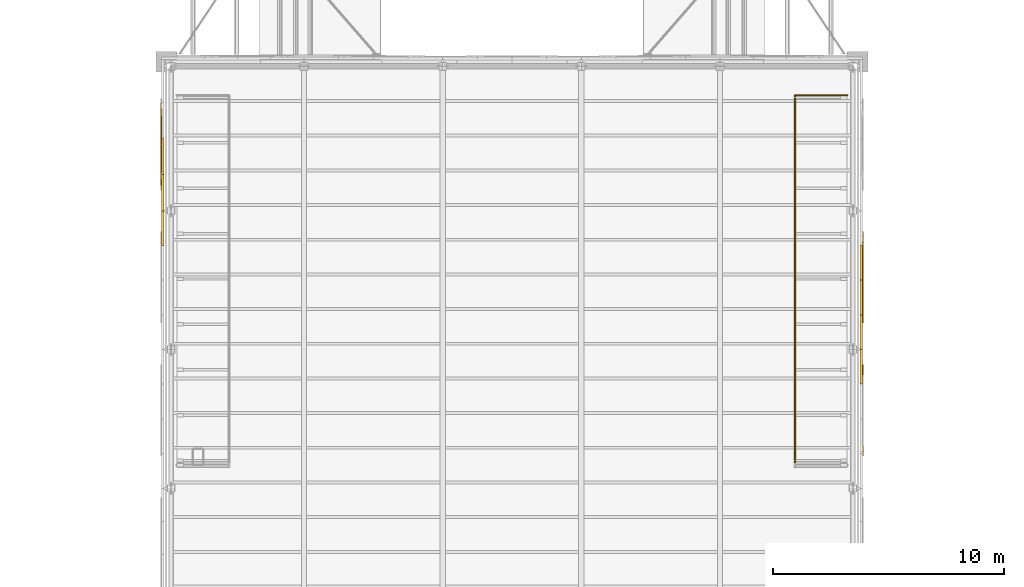
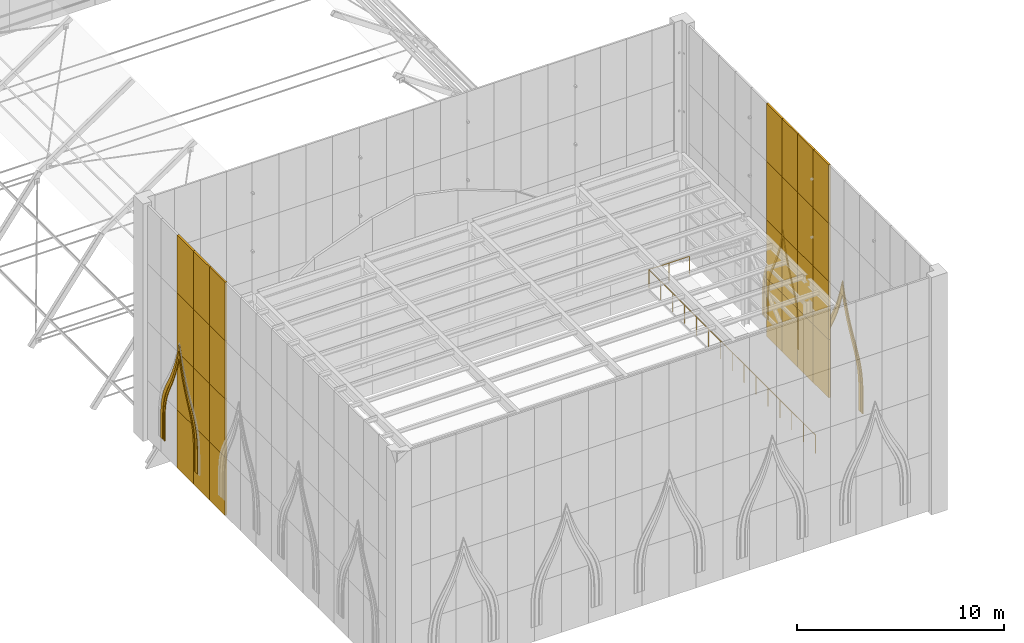
# One storey, part 40 of 43: 35 coverings, 1 railing.
"""IFC4 building model written with IfcOpenShell, lengths in metres."""

from ifc_helpers import new_model, si_unit, direction, frame, origin, origin_2d, place, context, subcontext, project, spatial, polyline, rectangle, circle, outline, extrude, material, layer, layer_set, type_object, element, save


model = new_model("IFC4")

# Units and contexts
model_context = context("Model", 3, precision=1e-05, world=origin(), true_north=direction((0.0, 1.0)))
body_context = subcontext(model_context, "Body", "Model", "MODEL_VIEW")
ifc_project = project(units=[si_unit("LENGTHUNIT", "METRE"), si_unit("AREAUNIT", "SQUARE_METRE"), si_unit("VOLUMEUNIT", "CUBIC_METRE"), si_unit("PLANEANGLEUNIT", "RADIAN"), si_unit("MASSUNIT", "GRAM", prefix="KILO")], contexts=[model_context])

# Site, building, storey
site_placement = place(None, origin())
site = spatial("IfcSite", under=ifc_project, at=site_placement, CompositionType="ELEMENT")
building_placement = place(site_placement, origin())
building = spatial("IfcBuilding", under=site, at=building_placement, Name="Saffron Lane Theatres", CompositionType="ELEMENT")
storey_placement = place(building_placement, frame((0.0, 0.0, 23.0)))
storey = spatial("IfcBuildingStorey", under=building, at=storey_placement, Name="Roof", CompositionType="ELEMENT", Elevation=23.0)

# Coverings
ifc_material_1 = material(Name="Masonry sandstone", Category="masonry")
ifc_layer_1 = layer(ifc_material_1, 0.050048828125)
ifc_layer_set_1 = layer_set([ifc_layer_1], Name="Masonry sandstone")
covering_type_1 = type_object("IfcCoveringType", Name="EX-ARCH FRAME RING SANDSTONE 50", PredefinedType="CLADDING", material=ifc_layer_set_1)
covering_1_placement = place(storey_placement, frame((48.14990234375, 37.60009765625, 2.200927734375), z_axis=(-1.0, 0.0, 0.0), x_axis=(0.0, 0.027312211802, 0.999626951961)))
element("IfcCovering", 1, at=covering_1_placement, inside=storey, type_object=covering_type_1, Name="Tower arch recess ring", PredefinedType="CLADDING", context=body_context, shape_type="SweptSolid", body=[
    extrude(outline(polyline([(0.0, 0.0), (0.40224966782484456, 0.0), (0.7569683522101139, 0.021325663033647923), (1.0741287445550716, 0.06248335251801053), (1.35881587726215, 0.12186874273052645), (1.6190700494014425, 0.1987736898983943), (1.8625941582077907, 0.2890800245858124), (2.095442766258442, 0.39091269943956275), (2.326605698736925, 0.5025607004097316), (2.5641165866928755, 0.6230718341746991), (2.816654525556407, 0.7483012592168254), (3.0903407581093636, 0.8788144236710781), (3.396084165823525, 1.0116267215797745), (3.739728601829618, 1.1460900213542489), (4.131457466973427, 1.2794837706470155), (4.5793177283455035, 1.4113438752340919), (5.367965845758813, 1.6088719789106471), (5.369059401114175, 1.6488961049168909), (4.592373712405251, 1.8891928918208298), (4.152381715175411, 2.0453112548396524), (3.7685211141738404, 2.1998959731527847), (3.432731606269066, 2.352923041886572), (3.1346964302061133, 2.5022320224121297), (2.8685450607724188, 2.6474948481228484), (2.6232219200460913, 2.7863270349024023), (2.3926457733680455, 2.919627431908736), (2.1679241486534617, 3.043731295097295), (1.9409834067299485, 3.1581265204967868), (1.702753706168462, 3.2615955275713047), (1.4470871321053216, 3.352596669990605), (1.166067410650981, 3.4274385316282965), (0.851627570653509, 3.4858530580619056), (0.4986025634649585, 3.5265159804281714), (0.09695301748147107, 3.5484804398218417), (-1.1035267131570188, 3.5812804324622376), (-1.1089878219133684, 3.3814038519798384), (0.0895395123345729, 3.3486572035031186), (0.48120969889833753, 3.327942331143563), (0.8223029502766167, 3.2885823399750875), (1.1216650624110143, 3.2325336272005174), (1.3878844456533965, 3.1612711589454983), (1.6297735558430695, 3.075531084668762), (1.8552019907263628, 2.9772964736549703), (2.0742024538866755, 2.867270135260558), (2.2948285804350204, 2.745232024810359), (2.5244552009996295, 2.612934498081138), (2.770727867839393, 2.473099441024472), (3.0417068840857833, 2.3257508585140143), (3.3457366105418473, 2.172370384695872), (3.6895197413734984, 2.0169268253475527), (4.08132728915873, 1.8582172695781594), (4.529048855705248, 1.6989569353188092), (4.696888265087821, 1.6472344342183776), (4.526474999807872, 1.6047538094748455), (4.070725136628087, 1.4701784869566512), (3.670862620127752, 1.3340761877532261), (3.3190778647446724, 1.1966602885192745), (3.0071265299826946, 1.0601098983409696), (2.7285326343715286, 0.9287538961006331), (2.4749651531490464, 0.8015987467497964), (2.2384571354702087, 0.6820371390982651), (2.011523061567155, 0.573204376366107), (1.7868147728934902, 0.47432430097183365), (1.5563586505837161, 0.38854555217643194), (1.310148663136272, 0.3161415188187424), (1.0404352371730994, 0.2595220234928368), (0.7384592610185687, 0.21990331313053224), (0.3957256766072468, 0.1992271152896419), (0.0035087123658012432, 0.19992992464607567), (-1.1950186218821401, 0.23267657312279538), (-1.2004797306384898, 0.03279999264039589), (0.0, 0.0)])), origin(), (0.0, 0.0, -1.0), 0.050048828125),
])
covering_2_placement = place(storey_placement, frame((48.14990234375, 37.39990234375, 2.200927734375), z_axis=(-1.0, 0.0, 0.0), x_axis=(0.0, 0.029193159722, 0.999573788885)))
element("IfcCovering", 2, at=covering_2_placement, inside=storey, type_object=covering_type_1, Name="Tower arch recess ring", PredefinedType="CLADDING", context=body_context, shape_type="SweptSolid", body=[
    extrude(outline(polyline([(0.0, 0.0), (0.41814696888594205, 1.734723475976807e-18), (0.789125603111909, 0.02409233927534542), (1.117551215790607, 0.07140949062843514), (1.4138389798139064, 0.13896058063500577), (1.684291082572596, 0.22509608173497841), (1.9373917861109122, 0.3276142481028278), (2.179867205832405, 0.44265496857998693), (2.421715713852443, 0.5696819899102323), (2.6709334990761593, 0.7065078207405595), (2.935237077657832, 0.849731914106464), (3.2226582746838943, 0.9983869615027009), (3.5441217178941016, 1.1501999447411422), (3.9056855581096905, 1.3035284634979691), (4.3175565678342815, 1.4566089544329384), (4.787967845306298, 1.607002762387233), (5.517225804189668, 1.8057688377505887), (5.517753219672928, 1.8238275438974325), (4.8013385405305815, 2.0648153668666795), (4.340506268592379, 2.242406708390198), (3.938271282291685, 2.4192636594894568), (3.58627219313739, 2.5934322170713386), (3.274245210735792, 2.7647236519196716), (2.995961130595407, 2.9289234866890266), (2.740466816031439, 3.087328593289325), (2.499659169594852, 3.238465914530292), (2.2656363669885993, 3.379391046568081), (2.0303166924724265, 3.5093630419210733), (1.7836019926233202, 3.625501641871766), (1.518637861785045, 3.72727429932679), (1.2267974931881596, 3.8120020287206327), (0.9016931726067514, 3.878405918778749), (0.5327529279512241, 3.9241080383952593), (0.11531868269130997, 3.9485116953504535), (-1.0850972029347026, 3.9835705705147646), (-1.0891882365481025, 3.8434935795919487), (0.10927535652149442, 3.80849172231772), (0.5208598513484222, 3.7845031556023243), (0.8786029227496011, 3.7401050351319944), (1.1939956712027533, 3.6756944905111526), (1.4737268653934252, 3.5944955983344995), (1.7278305136182879, 3.4971922881935713), (1.9656013872290956, 3.3842458348191324), (2.1961258571893527, 3.2573448230259685), (2.426057056003304, 3.1184931465610197), (2.665924192342985, 2.968604517112854), (2.923363672227109, 2.8098983560529214), (3.2054668106452016, 2.6426560466687783), (3.5215853968391, 2.4692911562476056), (3.8796212551058513, 2.292748088633249), (4.28765610118571, 2.113767791307328), (4.753527614249379, 1.9330983389877205), (5.066509931399305, 1.8279693234330057), (4.7479256065488, 1.7412855953198925), (4.272332543226111, 1.5890891667706482), (3.8545191289971497, 1.4332512906713022), (3.4867902294164193, 1.277904623695015), (3.161092637688706, 1.123284364638375), (2.8697098376597303, 0.9727910604658873), (2.603446839285382, 0.8293799484205129), (2.3552408365211748, 0.6937457914929044), (2.1175979680736017, 0.5685498997026498), (1.8800602976332301, 0.4553189270567006), (1.6361029829485005, 0.356441638060052), (1.3767536888360727, 0.2741340330107499), (1.092760407361754, 0.20939905659534055), (0.774146148118956, 0.1635050717787033), (0.41442170503741954, 0.14006102591359282), (0.0021387410569844428, 0.14013400881289806), (-1.1963248520126126, 0.17513586608712695), (-1.2004158856260125, 0.03505887516431111), (0.0, 0.0)])), origin(), (0.0, 0.0, -1.0), 0.050048828125),
])
covering_3_placement = place(storey_placement, frame((48.14990234375, 43.610107421875, 2.200927734375), z_axis=(-1.0, 0.0, 0.0), x_axis=(0.0, 0.022997111267, 0.999735531465)))
element("IfcCovering", 3, at=covering_3_placement, inside=storey, type_object=covering_type_1, Name="Tower arch recess ring", PredefinedType="CLADDING", context=body_context, shape_type="SweptSolid", body=[
    extrude(outline(polyline([(0.0, 0.0), (0.38218115301468625, -1.734723475976807e-18), (0.7186530208482582, 0.019366850314774177), (1.0186343483940257, 0.05544643826297682), (1.2869898132143656, 0.1073942450897903), (1.5324780807332044, 0.17378776745953742), (1.7623540583257231, 0.2515296568088426), (1.9834518756015451, 0.3404627063224047), (2.202776749349248, 0.4372511059084794), (2.429104188580111, 0.5412045804038491), (2.6697452459604945, 0.6516665418200038), (2.9314442186341365, 0.7645745664218575), (3.2242587557200446, 0.8818951430329552), (3.5539512356028933, 0.9993442299771961), (3.92979654846717, 1.1167084751480998), (4.357635676105198, 1.233120901674377), (5.015327699382706, 1.3838072212008825), (5.016068817226268, 1.4160252607891064), (4.366001324490871, 1.5967942273293279), (3.9439676199607527, 1.7327564442441374), (3.5739165011461504, 1.8672786903993477), (3.2499732990800325, 1.999763486321328), (2.9628350509323225, 2.1292038038291268), (2.7066327022651064, 2.2552462395065995), (2.4713254475467292, 2.376656532702662), (2.25001739734727, 2.490907053600263), (2.035375040883897, 2.5976780859579662), (1.8186004110288587, 2.696683600709043), (1.5925423132365129, 2.784913430450588), (1.350366617897236, 2.862524781997902), (1.084683668937017, 2.9267571785346833), (0.7866786556407508, 2.9765923628217448), (0.45145321327135296, 3.0114103972689836), (0.06967630635315561, 3.0289838734080146), (-1.1309338204231558, 3.0566017421389713), (-1.1336905542200453, 2.936760397913078), (0.0649669640963737, 2.9091874454150646), (0.44161265927823573, 2.8914877983300227), (0.771008348913546, 2.8580248928690466), (1.0600050061992816, 2.8093737503892937), (1.3186322076088624, 2.7462804794268774), (1.5528207674004981, 2.671783320030293), (1.7720952663452818, 2.5859073816214284), (1.9838116733425173, 2.4899486846716656), (2.1955419607034057, 2.383977254835837), (2.4158793212020364, 2.269993268112194), (2.6521628801503603, 2.14856051679966), (2.9122479876208893, 2.0214519444263543), (3.202264617696377, 1.8897475680517621), (3.5303121965068223, 1.7552147166748848), (3.9042236160082666, 1.618650029593896), (4.332336763859077, 1.4815711452211926), (4.59173814645036, 1.4096686780727894), (4.32930491813541, 1.3497700741784586), (3.8953414309437466, 1.232521706650183), (3.515545984926742, 1.1132946854852734), (3.181659295833679, 0.9939884370761447), (2.88589338794146, 0.8757589305845156), (2.6202386675859732, 0.7607440539311694), (2.3786213059756434, 0.6503045506314862), (2.1532757855038445, 0.5465726940771315), (1.9368966680333337, 0.45044914831410154), (1.7209693641976722, 0.363350802148956), (1.4980005050933094, 0.28862469473167457), (1.26061166370447, 0.2239985013609291), (0.999379320784183, 0.17384048164958885), (0.7084512654818893, 0.13852946035397), (0.37786529567358396, 0.12024824162779892), (0.0008041253369972031, 0.11988626045883645), (-1.197853392979422, 0.1474592129568499), (-1.2006101267763114, 0.027617868730956684), (0.0, 0.0)])), origin(), (0.0, 0.0, -1.0), 0.050048828125),
])
covering_4_placement = place(storey_placement, frame((48.14990234375, 43.35009765625, 2.200927734375), z_axis=(-1.0, 0.0, 0.0), x_axis=(0.0, 0.027312211802, 0.999626951961)))
element("IfcCovering", 4, at=covering_4_placement, inside=storey, type_object=covering_type_1, Name="Tower arch recess ring", PredefinedType="CLADDING", context=body_context, shape_type="SweptSolid", body=[
    extrude(outline(polyline([(0.0, 0.0), (0.40224966782484456, 0.0), (0.7569683522101139, 0.021325663033647923), (1.0741287445550716, 0.06248335251801053), (1.35881587726215, 0.12186874273052645), (1.6190700494014425, 0.1987736898983943), (1.8625674861259525, 0.28810382639053816), (2.095442766258442, 0.39091269943956275), (2.326605698736925, 0.5025607004097316), (2.5641165866928755, 0.6230718341746991), (2.816654525556407, 0.7483012592168254), (3.0903407581093636, 0.8788144236710781), (3.396084165823525, 1.0116267215797745), (3.73970192974778, 1.1451138231589746), (4.131457466973427, 1.2794837706470155), (4.5793177283455035, 1.4113438752340919), (5.367965845758813, 1.6088719789106471), (5.369059401114175, 1.6488961049168909), (4.592373712405251, 1.8891928918208298), (4.152381715175411, 2.0453112548396524), (3.7685211141738404, 2.1998959731527847), (3.432731606269066, 2.352923041886572), (3.1346964302061133, 2.5022320224121297), (2.8685450607724188, 2.6474948481228484), (2.6232219200460913, 2.7863270349024023), (2.3926191012862073, 2.9186512337134616), (2.1679241486534617, 3.043731295097295), (1.9409834067299485, 3.1581265204967868), (1.702753706168462, 3.2615955275713047), (1.4470871321053216, 3.352596669990605), (1.166067410650981, 3.4274385316282965), (0.851627570653509, 3.4858530580619056), (0.4986025634649585, 3.5265159804281714), (0.09695301748147107, 3.5484804398218417), (-1.1035267131570188, 3.5812804324622376), (-1.1089878219133684, 3.3814038519798384), (0.0895395123345729, 3.3486572035031186), (0.4811830268164994, 3.326966132948289), (0.8223029502766167, 3.2885823399750875), (1.1216650624110143, 3.2325336272005174), (1.3878844456533965, 3.1612711589454983), (1.6297735558430695, 3.075531084668762), (1.8552019907263628, 2.9772964736549703), (2.0741757818048376, 2.866293937065284), (2.2948285804350204, 2.745232024810359), (2.5244552009996295, 2.612934498081138), (2.770701195757555, 2.4721232428291975), (3.0417068840857833, 2.3257508585140143), (3.3457366105418473, 2.172370384695872), (3.68949306929166, 2.0159506271522787), (4.08132728915873, 1.8582172695781594), (4.529048855705248, 1.6989569353188092), (4.696888265087821, 1.6472344342183776), (4.526474999807872, 1.6047538094748455), (4.070725136628087, 1.4701784869566512), (3.6708359480459136, 1.3330999895579518), (3.3190778647446724, 1.1966602885192745), (3.0071265299826946, 1.0601098983409696), (2.7285059622896903, 0.9277776979053588), (2.4749651531490464, 0.8015987467497964), (2.2384571354702087, 0.6820371390982651), (2.011496389485317, 0.5722281781708328), (1.7868147728934902, 0.47432430097183365), (1.5563586505837161, 0.38854555217643194), (1.310148663136272, 0.3161415188187424), (1.0404352371730994, 0.2595220234928368), (0.7384592610185687, 0.21990331313053224), (0.3957256766072468, 0.1992271152896419), (0.0035087123658012432, 0.19992992464607567), (-1.1950186218821401, 0.23267657312279538), (-1.2004797306384898, 0.03279999264039589), (0.0, 0.0)])), origin(), (0.0, 0.0, -1.0), 0.050048828125),
])
covering_5_placement = place(storey_placement, frame((48.14990234375, 43.14990234375, 2.200927734375), z_axis=(-1.0, 0.0, 0.0), x_axis=(0.0, 0.029193159722, 0.999573788885)))
element("IfcCovering", 5, at=covering_5_placement, inside=storey, type_object=covering_type_1, Name="Tower arch recess ring", PredefinedType="CLADDING", context=body_context, shape_type="SweptSolid", body=[
    extrude(outline(polyline([(0.0, 0.0), (0.41814696888594205, 1.734723475976807e-18), (0.789125603111909, 0.02409233927534542), (1.117551215790607, 0.07140949062843514), (1.4138389798139064, 0.13896058063500577), (1.684291082572596, 0.22509608173497841), (1.937363277165871, 0.32663810182462005), (2.179867205832405, 0.44265496857998693), (2.421715713852443, 0.5696819899102323), (2.6709334990761593, 0.7065078207405595), (2.935237077657832, 0.849731914106464), (3.222629765738853, 0.9974108152244933), (3.5441217178941016, 1.1501999447411422), (3.9056855581096905, 1.3035284634979691), (4.31752805888924, 1.4556328081547305), (4.787967845306298, 1.607002762387233), (5.517225804189668, 1.8057688377505887), (5.517753219672928, 1.8238275438974325), (4.8013385405305815, 2.0648153668666795), (4.340506268592379, 2.242406708390198), (3.938271282291685, 2.4192636594894568), (3.58627219313739, 2.5934322170713386), (3.274216701790751, 2.7637475056414638), (2.995961130595407, 2.9289234866890266), (2.740466816031439, 3.087328593289325), (2.499659169594852, 3.238465914530292), (2.2656363669885993, 3.379391046568081), (2.0302881835273854, 3.5083868956428654), (1.7836019926233202, 3.625501641871766), (1.518637861785045, 3.72727429932679), (1.2267974931881596, 3.8120020287206327), (0.9016931726067514, 3.878405918778749), (0.5327529279512241, 3.9241080383952593), (0.11531868269130997, 3.9485116953504535), (-1.0850972029347026, 3.9835705705147646), (-1.0891882365481025, 3.8434935795919487), (0.10927535652149442, 3.80849172231772), (0.5208598513484222, 3.7845031556023243), (0.8786029227496011, 3.7401050351319944), (1.1939956712027533, 3.6756944905111526), (1.4737268653934252, 3.5944955983344995), (1.7278305136182879, 3.4971922881935713), (1.9656013872290956, 3.3842458348191324), (2.1961258571893527, 3.2573448230259685), (2.426057056003304, 3.1184931465610197), (2.665924192342985, 2.968604517112854), (2.9233351632820677, 2.8089222097747135), (3.2054668106452016, 2.6426560466687783), (3.5215853968391, 2.4692911562476056), (3.8796212551058513, 2.292748088633249), (4.287627592240669, 2.11279164502912), (4.753527614249379, 1.9330983389877205), (5.066509931399305, 1.8279693234330057), (4.7479256065488, 1.7412855953198925), (4.27230403428107, 1.5881130204924403), (3.8545191289971497, 1.4332512906713022), (3.4867902294164193, 1.277904623695015), (3.161092637688706, 1.123284364638375), (2.8697098376597303, 0.9727910604658873), (2.603446839285382, 0.8293799484205129), (2.3552408365211748, 0.6937457914929044), (2.1175979680736017, 0.5685498997026498), (1.8800602976332301, 0.4553189270567006), (1.6361029829485005, 0.356441638060052), (1.3767536888360727, 0.2741340330107499), (1.092760407361754, 0.20939905659534055), (0.774146148118956, 0.1635050717787033), (0.41442170503741954, 0.14006102591359282), (0.0021387410569844428, 0.14013400881289806), (-1.1963248520126126, 0.17513586608712695), (-1.2004158856260125, 0.03505887516431111), (0.0, 0.0)])), origin(), (0.0, 0.0, -1.0), 0.050048828125),
])
covering_6_placement = place(storey_placement, frame((17.85009765625, 52.389892578125, 2.200927734375), z_axis=(1.0, 0.0, 0.0), x_axis=(0.0, -0.022997111267, 0.999735531465)))
element("IfcCovering", 6, at=covering_6_placement, inside=storey, type_object=covering_type_1, Name="Tower arch recess ring", PredefinedType="CLADDING", context=body_context, shape_type="SweptSolid", body=[
    extrude(outline(polyline([(0.0, 0.0), (0.38218115301468625, -1.734723475976807e-18), (0.7186530208482582, 0.019366850314774177), (1.0186343483940257, 0.05544643826297682), (1.2869898132143656, 0.1073942450897903), (1.5324780807332044, 0.17378776745953742), (1.7623540583257231, 0.2515296568088426), (1.9834518756015451, 0.3404627063224047), (2.202776749349248, 0.4372511059084794), (2.429104188580111, 0.5412045804038491), (2.6697452459604945, 0.6516665418200038), (2.931472291279726, 0.7657949467092903), (3.2242587557200446, 0.8818951430329552), (3.5539512356028933, 0.9993442299771961), (3.92979654846717, 1.1167084751480998), (4.357635676105198, 1.233120901674377), (5.015327699382706, 1.3838072212008825), (5.016068817226268, 1.4160252607891064), (4.366001324490871, 1.5967942273293279), (3.9439676199607527, 1.7327564442441374), (3.5739165011461504, 1.8672786903993477), (3.2499732990800325, 1.999763486321328), (2.9628350509323225, 2.1292038038291268), (2.7066327022651064, 2.2552462395065995), (2.4713254475467292, 2.376656532702662), (2.25001739734727, 2.490907053600263), (2.035375040883897, 2.5976780859579662), (1.8186004110288587, 2.696683600709043), (1.5925423132365129, 2.784913430450588), (1.350366617897236, 2.862524781997902), (1.084683668937017, 2.9267571785346833), (0.7866786556407508, 2.9765923628217448), (0.45145321327135296, 3.0114103972689836), (0.06967630635315561, 3.0289838734080146), (-1.1309338204231558, 3.0566017421389713), (-1.1336905542200453, 2.936760397913078), (0.0649669640963737, 2.9091874454150646), (0.44161265927823573, 2.8914877983300227), (0.771008348913546, 2.8580248928690466), (1.0600050061992816, 2.8093737503892937), (1.318654665725334, 2.7472567836568236), (1.5528207674004981, 2.671783320030293), (1.7720952663452818, 2.5859073816214284), (1.9838116733425173, 2.4899486846716656), (2.1955419607034057, 2.383977254835837), (2.4158793212020364, 2.269993268112194), (2.6521628801503603, 2.14856051679966), (2.9122479876208893, 2.0214519444263543), (3.202264617696377, 1.8897475680517621), (3.5303121965068223, 1.7552147166748848), (3.9042236160082666, 1.618650029593896), (4.332336763859077, 1.4815711452211926), (4.59173814645036, 1.4096686780727894), (4.32930491813541, 1.3497700741784586), (3.8953414309437466, 1.232521706650183), (3.515545984926742, 1.1132946854852734), (3.181659295833679, 0.9939884370761447), (2.88589338794146, 0.8757589305845156), (2.6202386675859732, 0.7607440539311694), (2.3786213059756434, 0.6503045506314862), (2.1532757855038445, 0.5465726940771315), (1.9368966680333337, 0.45044914831410154), (1.7209918223141438, 0.36432710637890214), (1.4980005050933094, 0.28862469473167457), (1.2606341218209416, 0.22497480559087527), (0.999379320784183, 0.17384048164958885), (0.7084512654818893, 0.13852946035397), (0.37786529567358396, 0.12024824162779892), (0.0008041253369972031, 0.11988626045883645), (-1.197853392979422, 0.1474592129568499), (-1.2006101267763114, 0.027617868730956684), (0.0, 0.0)])), origin(), (0.0, 0.0, -1.0), 0.050048828125),
])
covering_7_placement = place(storey_placement, frame((17.85009765625, 52.64990234375, 2.200927734375), z_axis=(1.0, 0.0, 0.0), x_axis=(0.0, -0.027312211802, 0.999626951961)))
element("IfcCovering", 7, at=covering_7_placement, inside=storey, type_object=covering_type_1, Name="Tower arch recess ring", PredefinedType="CLADDING", context=body_context, shape_type="SweptSolid", body=[
    extrude(outline(polyline([(0.0, 0.0), (0.40224966782484456, 0.0), (0.7569683522101139, 0.021325663033647923), (1.0741287445550716, 0.06248335251801053), (1.35881587726215, 0.12186874273052645), (1.6190700494014425, 0.1987736898983943), (1.8625941582077907, 0.2890800245858124), (2.095442766258442, 0.39091269943956275), (2.326605698736925, 0.5025607004097316), (2.5641165866928755, 0.6230718341746991), (2.816654525556407, 0.7483012592168254), (3.0903407581093636, 0.8788144236710781), (3.396084165823525, 1.0116267215797745), (3.739728601829618, 1.1460900213542489), (4.131457466973427, 1.2794837706470155), (4.5793177283455035, 1.4113438752340919), (5.367965845758813, 1.6088719789106471), (5.369059401114175, 1.6488961049168909), (4.592373712405251, 1.8891928918208298), (4.152381715175411, 2.0453112548396524), (3.7685211141738404, 2.1998959731527847), (3.432731606269066, 2.352923041886572), (3.1346964302061133, 2.5022320224121297), (2.8685450607724188, 2.6474948481228484), (2.6232219200460913, 2.7863270349024023), (2.3926457733680455, 2.919627431908736), (2.1679241486534617, 3.043731295097295), (1.9409834067299485, 3.1581265204967868), (1.702753706168462, 3.2615955275713047), (1.4470871321053216, 3.352596669990605), (1.166067410650981, 3.4274385316282965), (0.851627570653509, 3.4858530580619056), (0.4986025634649585, 3.5265159804281714), (0.09695301748147107, 3.5484804398218417), (-1.1035267131570188, 3.5812804324622376), (-1.1089878219133684, 3.3814038519798384), (0.0895395123345729, 3.3486572035031186), (0.48120969889833753, 3.327942331143563), (0.8223029502766167, 3.2885823399750875), (1.1216650624110143, 3.2325336272005174), (1.3878844456533965, 3.1612711589454983), (1.6297735558430695, 3.075531084668762), (1.8552019907263628, 2.9772964736549703), (2.0742024538866755, 2.867270135260558), (2.2948285804350204, 2.745232024810359), (2.5244552009996295, 2.612934498081138), (2.770727867839393, 2.473099441024472), (3.0417068840857833, 2.3257508585140143), (3.3457366105418473, 2.172370384695872), (3.6895197413734984, 2.0169268253475527), (4.08132728915873, 1.8582172695781594), (4.529048855705248, 1.6989569353188092), (4.696888265087821, 1.6472344342183776), (4.526474999807872, 1.6047538094748455), (4.070725136628087, 1.4701784869566512), (3.670862620127752, 1.3340761877532261), (3.3190778647446724, 1.1966602885192745), (3.0071265299826946, 1.0601098983409696), (2.7285326343715286, 0.9287538961006331), (2.4749651531490464, 0.8015987467497964), (2.2384571354702087, 0.6820371390982651), (2.011523061567155, 0.573204376366107), (1.7868147728934902, 0.47432430097183365), (1.5563586505837161, 0.38854555217643194), (1.310148663136272, 0.3161415188187424), (1.0404352371730994, 0.2595220234928368), (0.7384592610185687, 0.21990331313053224), (0.3957256766072468, 0.1992271152896419), (0.0035087123658012432, 0.19992992464607567), (-1.1950186218821401, 0.23267657312279538), (-1.2004797306384898, 0.03279999264039589), (0.0, 0.0)])), origin(), (0.0, 0.0, -1.0), 0.050048828125),
])
ifc_material_2 = material(Name="Masonry perforated pale clay brick", Category="masonry")
ifc_layer_2 = layer(ifc_material_2, 0.10009765625)
ifc_layer_set_2 = layer_set([ifc_layer_2], Name="Masonry perforated pale clay brick")
covering_type_2 = type_object("IfcCoveringType", Name="EX-CLADDING PANEL PERFORATED BRICK 100", PredefinedType="CLADDING", material=ifc_layer_set_2)
for number, where, z_axis, x_axis, name in (
    (8, (17.89990234375, 47.25, 0.10009765625), (0.0, 0.0, 1.0), (0.0, 1.0, 0.0), "Tower panel W205"),
    (9, (17.89990234375, 47.25, 3.53759765625), (0.0, 0.0, 1.0), (0.0, 1.0, 0.0), "Tower panel W206"),
    (10, (17.89990234375, 47.25, 6.97509765625), (0.0, 0.0, 1.0), (0.0, 1.0, 0.0), "Tower panel W207"),
    (11, (17.89990234375, 47.25, 10.41259765625), (0.0, 0.0, 1.0), (0.0, 1.0, 0.0), "Tower panel W208"),
):
    element("IfcCovering", number, at=place(storey_placement, frame(where, z_axis=z_axis, x_axis=x_axis)), inside=storey, type_object=covering_type_2, Name=name, PredefinedType="CLADDING", context=body_context, shape_type="SweptSolid", body=[
        extrude(rectangle(XDim=1.5, YDim=0.10009765625, at=origin_2d()), origin(), (0.0, 0.0, 1.0), 3.4375),
    ])
for number, where, z_axis, x_axis, name in (
    (12, (17.89990234375, 48.78125, 0.10009765625), (0.0, 0.0, 1.0), (0.0, 1.0, 0.0), "Tower panel W209"),
    (13, (17.89990234375, 48.78125, 3.53759765625), (0.0, 0.0, 1.0), (0.0, 1.0, 0.0), "Tower panel W210"),
    (14, (17.89990234375, 48.78125, 6.97509765625), (0.0, 0.0, 1.0), (0.0, 1.0, 0.0), "Tower panel W211"),
    (15, (17.89990234375, 48.78125, 10.41259765625), (0.0, 0.0, 1.0), (0.0, 1.0, 0.0), "Tower panel W212"),
    (16, (17.89990234375, 50.34375, 0.10009765625), (0.0, 0.0, 1.0), (0.0, 1.0, 0.0), "Tower panel W213"),
    (17, (17.89990234375, 50.34375, 3.53759765625), (0.0, 0.0, 1.0), (0.0, 1.0, 0.0), "Tower panel W214"),
    (18, (17.89990234375, 50.34375, 6.97509765625), (0.0, 0.0, 1.0), (0.0, 1.0, 0.0), "Tower panel W215"),
    (19, (17.89990234375, 50.34375, 10.41259765625), (0.0, 0.0, 1.0), (0.0, 1.0, 0.0), "Tower panel W216"),
):
    element("IfcCovering", number, at=place(storey_placement, frame(where, z_axis=z_axis, x_axis=x_axis)), inside=storey, type_object=covering_type_2, Name=name, PredefinedType="CLADDING", context=body_context, shape_type="SweptSolid", body=[
        extrude(rectangle(XDim=1.5625, YDim=0.10009765625, at=origin_2d()), origin(), (0.0, 0.0, 1.0), 3.4375),
    ])
for number, where, z_axis, x_axis, name in (
    (20, (48.10009765625, 41.25, 0.10009765625), (0.0, 0.0, 1.0), (0.0, 1.0, 0.0), "Tower panel E253"),
    (21, (48.10009765625, 41.25, 3.53759765625), (0.0, 0.0, 1.0), (0.0, 1.0, 0.0), "Tower panel E254"),
    (22, (48.10009765625, 41.25, 6.97509765625), (0.0, 0.0, 1.0), (0.0, 1.0, 0.0), "Tower panel E255"),
    (23, (48.10009765625, 41.25, 10.41259765625), (0.0, 0.0, 1.0), (0.0, 1.0, 0.0), "Tower panel E256"),
    (24, (48.10009765625, 42.75, 0.10009765625), (0.0, 0.0, 1.0), (0.0, 1.0, 0.0), "Tower panel E257"),
    (25, (48.10009765625, 42.75, 3.53759765625), (0.0, 0.0, 1.0), (0.0, 1.0, 0.0), "Tower panel E258"),
    (26, (48.10009765625, 42.75, 6.97509765625), (0.0, 0.0, 1.0), (0.0, 1.0, 0.0), "Tower panel E259"),
    (27, (48.10009765625, 42.75, 10.41259765625), (0.0, 0.0, 1.0), (0.0, 1.0, 0.0), "Tower panel E260"),
    (28, (48.10009765625, 44.25, 0.10009765625), (0.0, 0.0, 1.0), (0.0, 1.0, 0.0), "Tower panel E261"),
    (29, (48.10009765625, 44.25, 3.53759765625), (0.0, 0.0, 1.0), (0.0, 1.0, 0.0), "Tower panel E262"),
    (30, (48.10009765625, 44.25, 6.97509765625), (0.0, 0.0, 1.0), (0.0, 1.0, 0.0), "Tower panel E263"),
    (31, (48.10009765625, 44.25, 10.41259765625), (0.0, 0.0, 1.0), (0.0, 1.0, 0.0), "Tower panel E264"),
    (32, (48.10009765625, 45.75, 0.10009765625), (0.0, 0.0, 1.0), (0.0, 1.0, 0.0), "Tower panel E265"),
    (33, (48.10009765625, 45.75, 3.53759765625), (0.0, 0.0, 1.0), (0.0, 1.0, 0.0), "Tower panel E266"),
    (34, (48.10009765625, 45.75, 6.97509765625), (0.0, 0.0, 1.0), (0.0, 1.0, 0.0), "Tower panel E267"),
    (35, (48.10009765625, 45.75, 10.41259765625), (0.0, 0.0, 1.0), (0.0, 1.0, 0.0), "Tower panel E268"),
):
    element("IfcCovering", number, at=place(storey_placement, frame(where, z_axis=z_axis, x_axis=x_axis)), inside=storey, type_object=covering_type_2, Name=name, PredefinedType="CLADDING", context=body_context, shape_type="SweptSolid", body=[
        extrude(rectangle(XDim=1.5, YDim=0.10009765625, at=origin_2d()), origin(), (0.0, 0.0, 1.0), 3.4375),
    ])

# Railing
railing_placement = place(storey_placement, frame((45.239990234375, 36.89990234375, 0.0)))
element("IfcRailing", 36, at=railing_placement, inside=storey, Name="FRE23", PredefinedType="GUARDRAIL", context=body_context, shape_type="SweptSolid", body=[
    extrude(circle(Radius=0.02392578125, at=origin_2d()), frame((0.0, 0.0, 1.076171875), z_axis=(0.0, 1.0, 0.0), x_axis=(-1.0, 0.0, 0.0)), (0.0, 0.0, 1.0), 16.10009765625),
    extrude(circle(Radius=0.02392578125, at=origin_2d()), frame((0.0, 16.10009765625, 1.076171875), z_axis=(1.0, 0.0, 0.0), x_axis=(0.0, 1.0, 0.0)), (0.0, 0.0, 1.0), 2.260009765625),
    extrude(circle(Radius=0.02099609375, at=origin_2d()), origin(), (0.0, 0.0, 1.0), 1.052001953125),
    extrude(circle(Radius=0.02099609375, at=origin_2d()), frame((0.0, 1.14990234375, 0.0)), (0.0, 0.0, 1.0), 1.052001953125),
    extrude(circle(Radius=0.02099609375, at=origin_2d()), frame((0.0, 2.300048828125, 0.0)), (0.0, 0.0, 1.0), 1.052001953125),
    extrude(circle(Radius=0.02099609375, at=origin_2d()), frame((0.0, 3.449951171875, 0.0)), (0.0, 0.0, 1.0), 1.052001953125),
    extrude(circle(Radius=0.02099609375, at=origin_2d()), frame((0.0, 4.60009765625, 0.0)), (0.0, 0.0, 1.0), 1.052001953125),
    extrude(circle(Radius=0.02099609375, at=origin_2d()), frame((0.0, 5.75, 0.0)), (0.0, 0.0, 1.0), 1.052001953125),
    extrude(circle(Radius=0.02099609375, at=origin_2d()), frame((0.0, 6.900146484375, 0.0)), (0.0, 0.0, 1.0), 1.052001953125),
    extrude(circle(Radius=0.02099609375, at=origin_2d()), frame((0.0, 8.050048828125, 0.0)), (0.0, 0.0, 1.0), 1.052001953125),
    extrude(circle(Radius=0.02099609375, at=origin_2d()), frame((0.0, 9.199951171875, 0.0)), (0.0, 0.0, 1.0), 1.052001953125),
    extrude(circle(Radius=0.02099609375, at=origin_2d()), frame((0.0, 10.35009765625, 0.0)), (0.0, 0.0, 1.0), 1.052001953125),
    extrude(circle(Radius=0.02099609375, at=origin_2d()), frame((0.0, 11.5, 0.0)), (0.0, 0.0, 1.0), 1.052001953125),
    extrude(circle(Radius=0.02099609375, at=origin_2d()), frame((0.0, 12.650146484375, 0.0)), (0.0, 0.0, 1.0), 1.052001953125),
    extrude(circle(Radius=0.02099609375, at=origin_2d()), frame((0.0, 13.800048828125, 0.0)), (0.0, 0.0, 1.0), 1.052001953125),
    extrude(circle(Radius=0.02099609375, at=origin_2d()), frame((0.0, 14.9501953125, 0.0)), (0.0, 0.0, 1.0), 1.052001953125),
    extrude(circle(Radius=0.02099609375, at=origin_2d()), frame((0.0, 16.10009765625, 0.0)), (0.0, 0.0, 1.0), 1.052001953125),
    extrude(circle(Radius=0.02099609375, at=origin_2d()), frame((1.1298828125, 16.10009765625, 0.0)), (0.0, 0.0, 1.0), 1.052001953125),
    extrude(circle(Radius=0.02099609375, at=origin_2d()), frame((2.260009765625, 16.10009765625, 0.0)), (0.0, 0.0, 1.0), 1.052001953125),
])

save(model, "model.ifc")
